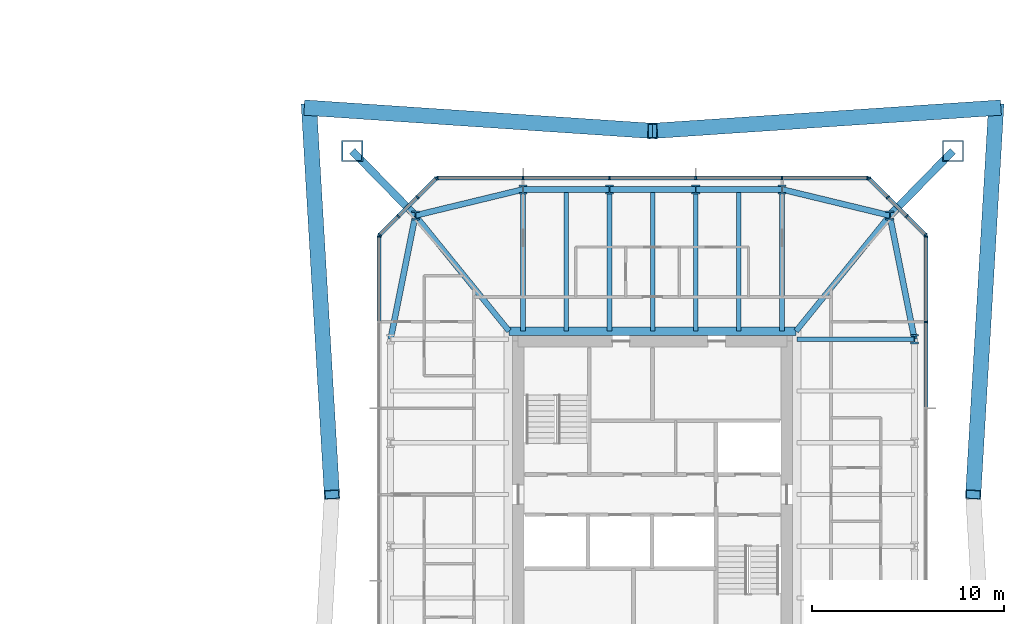
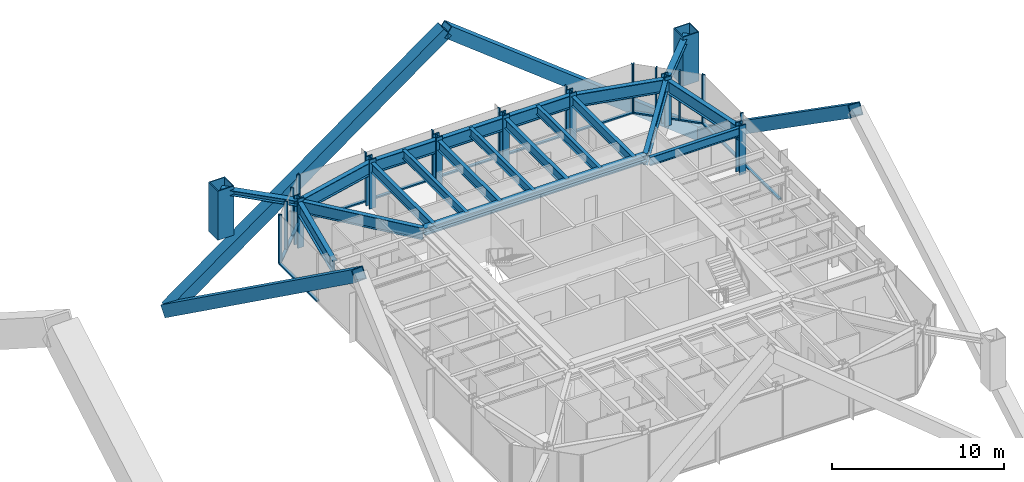
# One storey, part 9 of 21: 46 members, 18 beams, 5 elements without a shape of their own.
"""IFC4 building model written with IfcOpenShell, lengths in metres."""

from ifc_helpers import new_model, si_unit, direction, frame, origin, origin_2d, place, context, subcontext, project, spatial, rectangle, hollow_rectangle, i_section, extrude, material, material_profile, profile_set, type_object, element, aggregate, save


model = new_model("IFC4")

# Units and contexts
model_context = context("Model", 3, precision=1e-05, world=origin(), true_north=direction((0.0, 1.0)))
body_context = subcontext(model_context, "Body", "Model", "MODEL_VIEW")
ifc_project = project(units=[si_unit("LENGTHUNIT", "METRE"), si_unit("AREAUNIT", "SQUARE_METRE"), si_unit("VOLUMEUNIT", "CUBIC_METRE"), si_unit("PLANEANGLEUNIT", "RADIAN"), si_unit("MASSUNIT", "GRAM", prefix="KILO")], contexts=[model_context])

# Site, building, storey
site_placement = place(None, origin())
site = spatial("IfcSite", under=ifc_project, at=site_placement, CompositionType="ELEMENT")
building_placement = place(site_placement, origin())
building = spatial("IfcBuilding", under=site, at=building_placement, Name="Iwan Alto Co-Living Towers", CompositionType="ELEMENT")
storey_placement = place(building_placement, frame((0.0, 0.0, 80.5)))
storey = spatial("IfcBuildingStorey", under=building, at=storey_placement, Name="L21", CompositionType="ELEMENT", Elevation=80.5)

# Curtain wall, members
ifc_material_1 = material(Name="Bronze aluminium unitised frame", Category="aluminium")
curtain_wall_type_1 = type_object("IfcCurtainWallType", Name="CURTAIN WALL CW-C", PredefinedType="NOTDEFINED", material=ifc_material_1)
curtain_wall_1_placement = place(storey_placement, origin())
curtain_wall_1 = element("IfcCurtainWall", 1, at=curtain_wall_1_placement, inside=storey, type_object=curtain_wall_type_1, Name="T2 curtain wall E L21", PredefinedType="NOTDEFINED")
ifc_material_2 = material(Name="Aluminium 6063-T6 bronze anodised", Category="aluminium")
ifc_material_profile_1 = material_profile(ifc_material_2, rectangle(XDim=0.199951171875, YDim=0.080078125, at=origin_2d()), Name="AL 80X200")
ifc_profile_set_1 = profile_set([ifc_material_profile_1], Name="Aluminium 6063-T6 bronze anodised")
member_type_1 = type_object("IfcMemberType", Name="CW-C MULLION 80X200", PredefinedType="MULLION", material=ifc_profile_set_1)
member_1_placement = place(storey_placement, frame((77.25, 9.0, 0.0), z_axis=(0.0, 0.0, 1.0), x_axis=(-1.0, 0.0, 0.0)))
member_1 = element("IfcMember", 2, at=member_1_placement, type_object=member_type_1, Name="CW-C mullion 6", PredefinedType="MULLION", context=body_context, shape_type="SweptSolid", body=[
    extrude(rectangle(XDim=0.199951171875, YDim=0.080078125, at=origin_2d()), origin(), (0.0, 0.0, 1.0), 3.5),
])
member_2_placement = place(storey_placement, frame((77.25, 13.4599609375, 0.0), z_axis=(0.0, 0.0, 1.0), x_axis=(-1.0, 0.0, 0.0)))
member_2 = element("IfcMember", 3, at=member_2_placement, type_object=member_type_1, Name="CW-C mullion 7", PredefinedType="MULLION", context=body_context, shape_type="SweptSolid", body=[
    extrude(rectangle(XDim=0.199951171875, YDim=0.080078125, at=origin_2d()), origin(), (0.0, 0.0, 1.0), 3.5),
])

curtain_wall_2_placement = place(storey_placement, origin())
curtain_wall_2 = element("IfcCurtainWall", 4, at=curtain_wall_2_placement, inside=storey, type_object=curtain_wall_type_1, Name="T2 curtain wall N L21", PredefinedType="NOTDEFINED")
member_3_placement = place(storey_placement, frame((74.2099609375, 16.5, 0.0), z_axis=(0.0, 0.0, 1.0), x_axis=(0.0, -1.0, 0.0)))
member_3 = element("IfcMember", 5, at=member_3_placement, type_object=member_type_1, Name="CW-C mullion 1", PredefinedType="MULLION", context=body_context, shape_type="SweptSolid", body=[
    extrude(rectangle(XDim=0.199951171875, YDim=0.080078125, at=origin_2d()), origin(), (0.0, 0.0, 1.0), 3.5),
])
member_4_placement = place(storey_placement, frame((69.75, 16.5, 0.0), z_axis=(0.0, 0.0, 1.0), x_axis=(0.0, -1.0, 0.0)))
member_4 = element("IfcMember", 6, at=member_4_placement, type_object=member_type_1, Name="CW-C mullion 2", PredefinedType="MULLION", context=body_context, shape_type="SweptSolid", body=[
    extrude(rectangle(XDim=0.199951171875, YDim=0.080078125, at=origin_2d()), origin(), (0.0, 0.0, 1.0), 3.5),
])
member_5_placement = place(storey_placement, frame((65.25, 16.5, 0.0), z_axis=(0.0, 0.0, 1.0), x_axis=(0.0, -1.0, 0.0)))
member_5 = element("IfcMember", 7, at=member_5_placement, type_object=member_type_1, Name="CW-C mullion 3", PredefinedType="MULLION", context=body_context, shape_type="SweptSolid", body=[
    extrude(rectangle(XDim=0.199951171875, YDim=0.080078125, at=origin_2d()), origin(), (0.0, 0.0, 1.0), 3.5),
])
member_6_placement = place(storey_placement, frame((60.75, 16.5, 0.0), z_axis=(0.0, 0.0, 1.0), x_axis=(0.0, -1.0, 0.0)))
member_6 = element("IfcMember", 8, at=member_6_placement, type_object=member_type_1, Name="CW-C mullion 4", PredefinedType="MULLION", context=body_context, shape_type="SweptSolid", body=[
    extrude(rectangle(XDim=0.199951171875, YDim=0.080078125, at=origin_2d()), origin(), (0.0, 0.0, 1.0), 3.5),
])
member_7_placement = place(storey_placement, frame((56.25, 16.5, 0.0), z_axis=(0.0, 0.0, 1.0), x_axis=(0.0, -1.0, 0.0)))
member_7 = element("IfcMember", 9, at=member_7_placement, type_object=member_type_1, Name="CW-C mullion 5", PredefinedType="MULLION", context=body_context, shape_type="SweptSolid", body=[
    extrude(rectangle(XDim=0.199951171875, YDim=0.080078125, at=origin_2d()), origin(), (0.0, 0.0, 1.0), 3.5),
])
member_8_placement = place(storey_placement, frame((51.7900390625, 16.5, 0.0), z_axis=(0.0, 0.0, 1.0), x_axis=(0.0, -1.0, 0.0)))
member_8 = element("IfcMember", 10, at=member_8_placement, type_object=member_type_1, Name="CW-C mullion 6", PredefinedType="MULLION", context=body_context, shape_type="SweptSolid", body=[
    extrude(rectangle(XDim=0.199951171875, YDim=0.080078125, at=origin_2d()), origin(), (0.0, 0.0, 1.0), 3.5),
])

# Curtain wall, member
curtain_wall_3_placement = place(storey_placement, origin())
curtain_wall_3 = element("IfcCurtainWall", 11, at=curtain_wall_3_placement, inside=storey, type_object=curtain_wall_type_1, Name="T2 curtain wall W L21", PredefinedType="NOTDEFINED")
member_9_placement = place(storey_placement, frame((48.75, 13.4599609375, 0.0), z_axis=(0.0, 0.0, 1.0), x_axis=(1.0, 0.0, 0.0)))
member_9 = element("IfcMember", 12, at=member_9_placement, type_object=member_type_1, Name="CW-C mullion 1", PredefinedType="MULLION", context=body_context, shape_type="SweptSolid", body=[
    extrude(rectangle(XDim=0.199951171875, YDim=0.080078125, at=origin_2d()), origin(), (0.0, 0.0, 1.0), 3.5),
])

# Member
ifc_material_3 = material(Name="Aluminium 6063-T6 bronze anodised", Category="aluminium")
ifc_material_profile_2 = material_profile(ifc_material_3, rectangle(XDim=0.199951171875, YDim=0.10009765625, at=origin_2d()), Name="AL 200X100")
ifc_profile_set_2 = profile_set([ifc_material_profile_2], Name="Aluminium 6063-T6 bronze anodised")
member_type_2 = type_object("IfcMemberType", Name="CW-C TRANSOM 200X100", PredefinedType="USERDEFINED", material=ifc_profile_set_2)
member_10_placement = place(storey_placement, frame((77.25, 4.5400390625, 0.050048828125), z_axis=(0.0, 1.0, 0.0), x_axis=(-1.0, 0.0, 0.0)))
member_10 = element("IfcMember", 13, at=member_10_placement, type_object=member_type_2, Name="CW-C transom 5.1", ObjectType="TRANSOM", PredefinedType="USERDEFINED", context=body_context, shape_type="SweptSolid", body=[
    extrude(rectangle(XDim=0.199951171875, YDim=0.10009765625, at=origin_2d()), origin(), (0.0, 0.0, 1.0), 4.419921875),
])

member_11_placement = place(storey_placement, frame((77.25, 9.0400390625, 0.050048828125), z_axis=(0.0, 1.0, 0.0), x_axis=(-1.0, 0.0, 0.0)))
member_11 = element("IfcMember", 14, at=member_11_placement, type_object=member_type_2, Name="CW-C transom 6.1", ObjectType="TRANSOM", PredefinedType="USERDEFINED", context=body_context, shape_type="SweptSolid", body=[
    extrude(rectangle(XDim=0.199951171875, YDim=0.10009765625, at=origin_2d()), origin(), (0.0, 0.0, 1.0), 4.3798828125),
])

aggregate(curtain_wall_1, [member_1, member_2, member_10, member_11])

member_12_placement = place(storey_placement, frame((74.169921875, 16.5, 0.050048828125), z_axis=(-1.0, 0.0, 0.0), x_axis=(0.0, -1.0, 0.0)))
member_12 = element("IfcMember", 15, at=member_12_placement, type_object=member_type_2, Name="CW-C transom 1.1", ObjectType="TRANSOM", PredefinedType="USERDEFINED", context=body_context, shape_type="SweptSolid", body=[
    extrude(rectangle(XDim=0.199951171875, YDim=0.10009765625, at=origin_2d()), origin(), (0.0, 0.0, 1.0), 4.3798828125),
])

member_13_placement = place(storey_placement, frame((69.7099609375, 16.5, 0.050048828125), z_axis=(-1.0, 0.0, 0.0), x_axis=(0.0, -1.0, 0.0)))
member_13 = element("IfcMember", 16, at=member_13_placement, type_object=member_type_2, Name="CW-C transom 2.1", ObjectType="TRANSOM", PredefinedType="USERDEFINED", context=body_context, shape_type="SweptSolid", body=[
    extrude(rectangle(XDim=0.199951171875, YDim=0.10009765625, at=origin_2d()), origin(), (0.0, 0.0, 1.0), 4.419921875),
])

member_14_placement = place(storey_placement, frame((65.2099609375, 16.5, 0.050048828125), z_axis=(-1.0, 0.0, 0.0), x_axis=(0.0, -1.0, 0.0)))
member_14 = element("IfcMember", 17, at=member_14_placement, type_object=member_type_2, Name="CW-C transom 3.1", ObjectType="TRANSOM", PredefinedType="USERDEFINED", context=body_context, shape_type="SweptSolid", body=[
    extrude(rectangle(XDim=0.199951171875, YDim=0.10009765625, at=origin_2d()), origin(), (0.0, 0.0, 1.0), 4.419921875),
])

member_15_placement = place(storey_placement, frame((60.7099609375, 16.5, 0.050048828125), z_axis=(-1.0, 0.0, 0.0), x_axis=(0.0, -1.0, 0.0)))
member_15 = element("IfcMember", 18, at=member_15_placement, type_object=member_type_2, Name="CW-C transom 4.1", ObjectType="TRANSOM", PredefinedType="USERDEFINED", context=body_context, shape_type="SweptSolid", body=[
    extrude(rectangle(XDim=0.199951171875, YDim=0.10009765625, at=origin_2d()), origin(), (0.0, 0.0, 1.0), 4.419921875),
])

member_16_placement = place(storey_placement, frame((56.2099609375, 16.5, 0.050048828125), z_axis=(-1.0, 0.0, 0.0), x_axis=(0.0, -1.0, 0.0)))
member_16 = element("IfcMember", 19, at=member_16_placement, type_object=member_type_2, Name="CW-C transom 5.1", ObjectType="TRANSOM", PredefinedType="USERDEFINED", context=body_context, shape_type="SweptSolid", body=[
    extrude(rectangle(XDim=0.199951171875, YDim=0.10009765625, at=origin_2d()), origin(), (0.0, 0.0, 1.0), 4.3798828125),
])

aggregate(curtain_wall_2, [member_3, member_4, member_5, member_6, member_7, member_8, member_12, member_13, member_14, member_15, member_16])

member_17_placement = place(storey_placement, frame((48.75, 13.419921875, 0.050048828125), z_axis=(0.0, -1.0, 0.0), x_axis=(1.0, 0.0, 0.0)))
member_17 = element("IfcMember", 20, at=member_17_placement, type_object=member_type_2, Name="CW-C transom 1.1", ObjectType="TRANSOM", PredefinedType="USERDEFINED", context=body_context, shape_type="SweptSolid", body=[
    extrude(rectangle(XDim=0.199951171875, YDim=0.10009765625, at=origin_2d()), origin(), (0.0, 0.0, 1.0), 4.3798828125),
])

aggregate(curtain_wall_3, [member_9, member_17])

# Curtain wall, members
ifc_material_4 = material(Name="Bronze aluminium unitised frame", Category="aluminium")
curtain_wall_type_2 = type_object("IfcCurtainWallType", Name="CURTAIN WALL CW-D", PredefinedType="NOTDEFINED", material=ifc_material_4)
curtain_wall_4_placement = place(storey_placement, origin())
curtain_wall_4 = element("IfcCurtainWall", 21, at=curtain_wall_4_placement, inside=storey, type_object=curtain_wall_type_2, Name="T2 chamfer curtain wall NE L21", PredefinedType="NOTDEFINED")
ifc_material_5 = material(Name="Aluminium 6063-T6 bronze anodised", Category="aluminium")
ifc_material_profile_3 = material_profile(ifc_material_5, rectangle(XDim=0.199951171875, YDim=0.080078125, at=origin_2d()), Name="AL 80X200")
ifc_profile_set_3 = profile_set([ifc_material_profile_3], Name="Aluminium 6063-T6 bronze anodised")
member_type_3 = type_object("IfcMemberType", Name="CW-D MULLION 80X200", PredefinedType="MULLION", material=ifc_profile_set_3)
member_18_placement = place(storey_placement, frame((77.2216796875, 13.5283203125, 0.0), z_axis=(0.0, 0.0, 1.0), x_axis=(-0.707106781187, -0.707106781187, 0.0)))
member_18 = element("IfcMember", 22, at=member_18_placement, type_object=member_type_3, Name="CW-D mullion 1", PredefinedType="MULLION", context=body_context, shape_type="SweptSolid", body=[
    extrude(rectangle(XDim=0.199951171875, YDim=0.080078125, at=origin_2d()), origin(), (0.0, 0.0, 1.0), 3.5),
])
member_19_placement = place(storey_placement, frame((76.25, 14.5, 0.0), z_axis=(0.0, 0.0, 1.0), x_axis=(-0.707106781187, -0.707106781187, 0.0)))
member_19 = element("IfcMember", 23, at=member_19_placement, type_object=member_type_3, Name="CW-D mullion 2", PredefinedType="MULLION", context=body_context, shape_type="SweptSolid", body=[
    extrude(rectangle(XDim=0.199951171875, YDim=0.080078125, at=origin_2d()), origin(), (0.0, 0.0, 1.0), 3.5),
])
member_20_placement = place(storey_placement, frame((75.25, 15.5, 0.0), z_axis=(0.0, 0.0, 1.0), x_axis=(-0.707106781187, -0.707106781187, 0.0)))
member_20 = element("IfcMember", 24, at=member_20_placement, type_object=member_type_3, Name="CW-D mullion 3", PredefinedType="MULLION", context=body_context, shape_type="SweptSolid", body=[
    extrude(rectangle(XDim=0.199951171875, YDim=0.080078125, at=origin_2d()), origin(), (0.0, 0.0, 1.0), 3.5),
])
member_21_placement = place(storey_placement, frame((74.2783203125, 16.4716796875, 0.0), z_axis=(0.0, 0.0, 1.0), x_axis=(-0.707106781187, -0.707106781187, 0.0)))
member_21 = element("IfcMember", 25, at=member_21_placement, type_object=member_type_3, Name="CW-D mullion 4", PredefinedType="MULLION", context=body_context, shape_type="SweptSolid", body=[
    extrude(rectangle(XDim=0.199951171875, YDim=0.080078125, at=origin_2d()), origin(), (0.0, 0.0, 1.0), 3.5),
])

curtain_wall_5_placement = place(storey_placement, origin())
curtain_wall_5 = element("IfcCurtainWall", 26, at=curtain_wall_5_placement, inside=storey, type_object=curtain_wall_type_2, Name="T2 chamfer curtain wall NW L21", PredefinedType="NOTDEFINED")
member_22_placement = place(storey_placement, frame((51.7216796875, 16.4716796875, 0.0), z_axis=(0.0, 0.0, 1.0), x_axis=(0.707106781187, -0.707106781187, 0.0)))
member_22 = element("IfcMember", 27, at=member_22_placement, type_object=member_type_3, Name="CW-D mullion 1", PredefinedType="MULLION", context=body_context, shape_type="SweptSolid", body=[
    extrude(rectangle(XDim=0.199951171875, YDim=0.080078125, at=origin_2d()), origin(), (0.0, 0.0, 1.0), 3.5),
])
member_23_placement = place(storey_placement, frame((50.75, 15.5, 0.0), z_axis=(0.0, 0.0, 1.0), x_axis=(0.707106781187, -0.707106781187, 0.0)))
member_23 = element("IfcMember", 28, at=member_23_placement, type_object=member_type_3, Name="CW-D mullion 2", PredefinedType="MULLION", context=body_context, shape_type="SweptSolid", body=[
    extrude(rectangle(XDim=0.199951171875, YDim=0.080078125, at=origin_2d()), origin(), (0.0, 0.0, 1.0), 3.5),
])
member_24_placement = place(storey_placement, frame((49.75, 14.5, 0.0), z_axis=(0.0, 0.0, 1.0), x_axis=(0.707106781187, -0.707106781187, 0.0)))
member_24 = element("IfcMember", 29, at=member_24_placement, type_object=member_type_3, Name="CW-D mullion 3", PredefinedType="MULLION", context=body_context, shape_type="SweptSolid", body=[
    extrude(rectangle(XDim=0.199951171875, YDim=0.080078125, at=origin_2d()), origin(), (0.0, 0.0, 1.0), 3.5),
])
member_25_placement = place(storey_placement, frame((48.7783203125, 13.5283203125, 0.0), z_axis=(0.0, 0.0, 1.0), x_axis=(0.707106781187, -0.707106781187, 0.0)))
member_25 = element("IfcMember", 30, at=member_25_placement, type_object=member_type_3, Name="CW-D mullion 4", PredefinedType="MULLION", context=body_context, shape_type="SweptSolid", body=[
    extrude(rectangle(XDim=0.199951171875, YDim=0.080078125, at=origin_2d()), origin(), (0.0, 0.0, 1.0), 3.5),
])

# Member
ifc_material_6 = material(Name="Aluminium 6063-T6 bronze anodised", Category="aluminium")
ifc_material_profile_4 = material_profile(ifc_material_6, rectangle(XDim=0.199951171875, YDim=0.10009765625, at=origin_2d()), Name="AL 200X100")
ifc_profile_set_4 = profile_set([ifc_material_profile_4], Name="Aluminium 6063-T6 bronze anodised")
member_type_4 = type_object("IfcMemberType", Name="CW-D TRANSOM 200X100", PredefinedType="USERDEFINED", material=ifc_profile_set_4)
member_26_placement = place(storey_placement, frame((77.193359375, 13.556640625, 0.050048828125), z_axis=(-0.707106781187, 0.707106781187, 0.0), x_axis=(-0.707106781187, -0.707106781187, 0.0)))
member_26 = element("IfcMember", 31, at=member_26_placement, type_object=member_type_4, Name="CW-D transom 1.1", ObjectType="TRANSOM", PredefinedType="USERDEFINED", context=body_context, shape_type="SweptSolid", body=[
    extrude(rectangle(XDim=0.199951171875, YDim=0.10009765625, at=origin_2d()), origin(), (0.0, 0.0, 1.0), 1.2939453125),
])

member_27_placement = place(storey_placement, frame((76.2216796875, 14.5283203125, 0.050048828125), z_axis=(-0.707106781187, 0.707106781187, 0.0), x_axis=(-0.707106781187, -0.707106781187, 0.0)))
member_27 = element("IfcMember", 32, at=member_27_placement, type_object=member_type_4, Name="CW-D transom 2.1", ObjectType="TRANSOM", PredefinedType="USERDEFINED", context=body_context, shape_type="SweptSolid", body=[
    extrude(rectangle(XDim=0.199951171875, YDim=0.10009765625, at=origin_2d()), origin(), (0.0, 0.0, 1.0), 1.334228515625),
])

member_28_placement = place(storey_placement, frame((75.2216796875, 15.5283203125, 0.050048828125), z_axis=(-0.707106781187, 0.707106781187, 0.0), x_axis=(-0.707106781187, -0.707106781187, 0.0)))
member_28 = element("IfcMember", 33, at=member_28_placement, type_object=member_type_4, Name="CW-D transom 3.1", ObjectType="TRANSOM", PredefinedType="USERDEFINED", context=body_context, shape_type="SweptSolid", body=[
    extrude(rectangle(XDim=0.199951171875, YDim=0.10009765625, at=origin_2d()), origin(), (0.0, 0.0, 1.0), 1.2939453125),
])

aggregate(curtain_wall_4, [member_18, member_19, member_20, member_21, member_26, member_27, member_28])

member_29_placement = place(storey_placement, frame((51.693359375, 16.443359375, 0.050048828125), z_axis=(-0.707106781187, -0.707106781187, 0.0), x_axis=(0.707106781187, -0.707106781187, 0.0)))
member_29 = element("IfcMember", 34, at=member_29_placement, type_object=member_type_4, Name="CW-D transom 1.1", ObjectType="TRANSOM", PredefinedType="USERDEFINED", context=body_context, shape_type="SweptSolid", body=[
    extrude(rectangle(XDim=0.199951171875, YDim=0.10009765625, at=origin_2d()), origin(), (0.0, 0.0, 1.0), 1.2939453125),
])

member_30_placement = place(storey_placement, frame((50.7216796875, 15.4716796875, 0.050048828125), z_axis=(-0.707106781187, -0.707106781187, 0.0), x_axis=(0.707106781187, -0.707106781187, 0.0)))
member_30 = element("IfcMember", 35, at=member_30_placement, type_object=member_type_4, Name="CW-D transom 2.1", ObjectType="TRANSOM", PredefinedType="USERDEFINED", context=body_context, shape_type="SweptSolid", body=[
    extrude(rectangle(XDim=0.199951171875, YDim=0.10009765625, at=origin_2d()), origin(), (0.0, 0.0, 1.0), 1.334228515625),
])

member_31_placement = place(storey_placement, frame((49.7216796875, 14.4716796875, 0.050048828125), z_axis=(-0.707106781187, -0.707106781187, 0.0), x_axis=(0.707106781187, -0.707106781187, 0.0)))
member_31 = element("IfcMember", 36, at=member_31_placement, type_object=member_type_4, Name="CW-D transom 3.1", ObjectType="TRANSOM", PredefinedType="USERDEFINED", context=body_context, shape_type="SweptSolid", body=[
    extrude(rectangle(XDim=0.199951171875, YDim=0.10009765625, at=origin_2d()), origin(), (0.0, 0.0, 1.0), 1.2939453125),
])

aggregate(curtain_wall_5, [member_22, member_23, member_24, member_25, member_29, member_30, member_31])

# Beams
ifc_material_7 = material(Name="Steel ASTM A992 Gr 50", Category="steel")
ifc_material_profile_5 = material_profile(ifc_material_7, i_section(OverallWidth=0.436767578125, OverallDepth=0.51318359375, WebThickness=0.060546875, FlangeThickness=0.096923828125, at=origin_2d()), Name="W14X550")
ifc_profile_set_5 = profile_set([ifc_material_profile_5], Name="Steel ASTM A992 Gr 50")
beam_type_1 = type_object("IfcBeamType", Name="T2 CORE LEDGER BEAM W14X550", PredefinedType="BEAM", material=ifc_profile_set_5)
beam_1_placement = place(storey_placement, frame((70.47705078125, 8.5185546875, 3.013427734375), z_axis=(-1.0, 0.0, 0.0), x_axis=(0.0, -1.0, 0.0)))
element("IfcBeam", 37, at=beam_1_placement, inside=storey, type_object=beam_type_1, Name="T2 core ledger beam N L22", PredefinedType="BEAM", context=body_context, shape_type="SweptSolid", body=[
    extrude(i_section(OverallWidth=0.436767578125, OverallDepth=0.51318359375, WebThickness=0.060546875, FlangeThickness=0.096923828125, at=origin_2d()), origin(), (0.0, 0.0, 1.0), 14.9541015625),
])
ifc_material_8 = material(Name="Steel ASTM A992 Gr 50", Category="steel")
ifc_material_profile_6 = material_profile(ifc_material_8, i_section(OverallWidth=0.2919921875, OverallDepth=0.8408203125, WebThickness=0.0146484375, FlangeThickness=0.021728515625, at=origin_2d()), Name="W33X130")
ifc_profile_set_6 = profile_set([ifc_material_profile_6], Name="Steel ASTM A992 Gr 50")
beam_type_2 = type_object("IfcBeamType", Name="T2 CORNER GIRDER W33X130", PredefinedType="BEAM", material=ifc_profile_set_6)
for number, where, z_axis, x_axis, name in (
    (38, (75.361328125, 14.542724609375, 2.849609375), (-0.629787584927, -0.776767402683, 0.0), (0.776767402683, -0.629787584927, 0.0), "T2 corner girder CNE L22"),
    (39, (50.638671875, 14.542724609375, 2.849609375), (0.629787584927, -0.776767402683, 0.0), (0.776767402683, 0.629787584927, 0.0), "T2 corner girder CNW L22"),
):
    element("IfcBeam", number, at=place(storey_placement, frame(where, z_axis=z_axis, x_axis=x_axis)), inside=storey, type_object=beam_type_2, Name=name, PredefinedType="BEAM", context=body_context, shape_type="SweptSolid", body=[
        extrude(i_section(OverallWidth=0.2919921875, OverallDepth=0.8408203125, WebThickness=0.0146484375, FlangeThickness=0.021728515625, at=origin_2d()), origin(), (0.0, 0.0, 1.0), 7.75537109375),
    ])
ifc_material_9 = material(Name="Steel ASTM A992 Gr 50", Category="steel")
ifc_material_profile_7 = material_profile(ifc_material_9, i_section(OverallWidth=0.307373046875, OverallDepth=0.927001953125, WebThickness=0.01953125, FlangeThickness=0.031982421875, at=origin_2d()), Name="W36X194")
ifc_profile_set_7 = profile_set([ifc_material_profile_7], Name="Steel ASTM A992 Gr 50")
beam_type_3 = type_object("IfcBeamType", Name="T2 EDGE BEAM W36X194", PredefinedType="BEAM", material=ifc_profile_set_7)
beam_2_placement = place(storey_placement, frame((76.64990234375, 8.10009765625, 2.806396484375), z_axis=(-0.196123281025, 0.980579246487, 0.0), x_axis=(-0.980579246487, -0.196123281025, 0.0)))
element("IfcBeam", 40, at=beam_2_placement, inside=storey, type_object=beam_type_3, Name="T2 edge beam E4 L22", PredefinedType="BEAM", context=body_context, shape_type="SweptSolid", body=[
    extrude(i_section(OverallWidth=0.307373046875, OverallDepth=0.927001953125, WebThickness=0.01953125, FlangeThickness=0.031982421875, at=origin_2d()), origin(), (0.0, 0.0, 1.0), 6.5703125),
])
beam_3_placement = place(storey_placement, frame((75.361328125, 14.542724609375, 2.806396484375), z_axis=(-0.971974673138, 0.235085590323, 0.0), x_axis=(-0.235085590323, -0.971974673138, 0.0)))
element("IfcBeam", 41, at=beam_3_placement, inside=storey, type_object=beam_type_3, Name="T2 edge beam CNE L22", PredefinedType="BEAM", context=body_context, shape_type="SweptSolid", body=[
    extrude(i_section(OverallWidth=0.307373046875, OverallDepth=0.927001953125, WebThickness=0.01953125, FlangeThickness=0.031982421875, at=origin_2d()), origin(), (0.0, 0.0, 1.0), 5.773193359375),
])
for number, where, z_axis, x_axis, name in (
    (42, (69.75, 15.89990234375, 2.806396484375), (-1.0, 0.0, 0.0), (0.0, -1.0, 0.0), "T2 edge beam N1 L22"),
    (43, (65.25, 15.89990234375, 2.806396484375), (-1.0, 0.0, 0.0), (0.0, -1.0, 0.0), "T2 edge beam N2 L22"),
    (44, (60.75, 15.89990234375, 2.806396484375), (-1.0, 0.0, 0.0), (0.0, -1.0, 0.0), "T2 edge beam N3 L22"),
):
    element("IfcBeam", number, at=place(storey_placement, frame(where, z_axis=z_axis, x_axis=x_axis)), inside=storey, type_object=beam_type_3, Name=name, PredefinedType="BEAM", context=body_context, shape_type="SweptSolid", body=[
        extrude(i_section(OverallWidth=0.307373046875, OverallDepth=0.927001953125, WebThickness=0.01953125, FlangeThickness=0.031982421875, at=origin_2d()), origin(), (0.0, 0.0, 1.0), 4.5),
    ])
beam_4_placement = place(storey_placement, frame((56.25, 15.89990234375, 2.806396484375), z_axis=(-0.971974673138, -0.235085590323, 0.0), x_axis=(0.235085590323, -0.971974673138, 0.0)))
element("IfcBeam", 45, at=beam_4_placement, inside=storey, type_object=beam_type_3, Name="T2 edge beam N4 L22", PredefinedType="BEAM", context=body_context, shape_type="SweptSolid", body=[
    extrude(i_section(OverallWidth=0.307373046875, OverallDepth=0.927001953125, WebThickness=0.01953125, FlangeThickness=0.031982421875, at=origin_2d()), origin(), (0.0, 0.0, 1.0), 5.773193359375),
])
beam_5_placement = place(storey_placement, frame((50.638671875, 14.542724609375, 2.806396484375), z_axis=(-0.196123281025, -0.980579246487, 0.0), x_axis=(0.980579246487, -0.196123281025, 0.0)))
element("IfcBeam", 46, at=beam_5_placement, inside=storey, type_object=beam_type_3, Name="T2 edge beam CNW L22", PredefinedType="BEAM", context=body_context, shape_type="SweptSolid", body=[
    extrude(i_section(OverallWidth=0.307373046875, OverallDepth=0.927001953125, WebThickness=0.01953125, FlangeThickness=0.031982421875, at=origin_2d()), origin(), (0.0, 0.0, 1.0), 6.5703125),
])

# Members
ifc_material_10 = material(Name="Steel ASTM A572 Gr 50", Category="steel")
ifc_material_profile_8 = material_profile(ifc_material_10, hollow_rectangle(XDim=0.800048828125, YDim=0.800048828125, WallThickness=0.050048828125, at=origin_2d()), Name="BOX 800X800X50")
ifc_profile_set_8 = profile_set([ifc_material_profile_8], Name="Steel ASTM A572 Gr 50")
member_type_5 = type_object("IfcMemberType", Name="T2 MEGA BRACE BOX 800X800X50", PredefinedType="BRACE", material=ifc_profile_set_8)
member_32_placement = place(storey_placement, frame((80.89990234375, 20.14990234375, -6.0), z_axis=(-0.04816444441, -0.814591035855, 0.578032551505), x_axis=(0.998256560204, -0.059024062978, 0.0)))
element("IfcMember", 47, at=member_32_placement, inside=storey, type_object=member_type_5, Name="T2 mega brace Z2A E 2 lower", PredefinedType="BRACE", context=body_context, shape_type="SweptSolid", body=[
    extrude(hollow_rectangle(XDim=0.800048828125, YDim=0.800048828125, WallThickness=0.050048828125, at=origin_2d()), origin(), (0.0, 0.0, 1.0), 24.736328125),
])
for number, where, z_axis, x_axis, name in (
    (48, (80.89990234375, 20.14990234375, -6.0), (-0.777992341142, -0.052175295854, 0.626103550243), (0.066913716291, -0.99775876572, 0.0), "T2 mega brace Z2A N 1 lower"),
    (49, (45.10009765625, 20.14990234375, -6.0), (0.777992341142, -0.052175295854, 0.626103550243), (0.066913716291, 0.99775876572, 0.0), "T2 mega brace Z2A N 2 lower"),
):
    element("IfcMember", number, at=place(storey_placement, frame(where, z_axis=z_axis, x_axis=x_axis)), inside=storey, type_object=member_type_5, Name=name, PredefinedType="BRACE", context=body_context, shape_type="SweptSolid", body=[
        extrude(hollow_rectangle(XDim=0.800048828125, YDim=0.800048828125, WallThickness=0.050048828125, at=origin_2d()), origin(), (0.0, 0.0, 1.0), 23.0078125),
    ])
member_33_placement = place(storey_placement, frame((45.10009765625, 20.14990234375, -6.0), z_axis=(0.04816444441, -0.814591035855, 0.578032551505), x_axis=(0.998256560204, 0.059024062978, 0.0)))
element("IfcMember", 50, at=member_33_placement, inside=storey, type_object=member_type_5, Name="T2 mega brace Z2A W 1 lower", PredefinedType="BRACE", context=body_context, shape_type="SweptSolid", body=[
    extrude(hollow_rectangle(XDim=0.800048828125, YDim=0.800048828125, WallThickness=0.050048828125, at=origin_2d()), origin(), (0.0, 0.0, 1.0), 24.736328125),
])
ifc_material_11 = material(Name="Steel ASTM A992 Gr 50", Category="steel")
ifc_material_profile_9 = material_profile(ifc_material_11, i_section(OverallWidth=0.393798828125, OverallDepth=0.3759765625, WebThickness=0.017333984375, FlangeThickness=0.027587890625, at=origin_2d()), Name="W14X145")
ifc_profile_set_9 = profile_set([ifc_material_profile_9], Name="Steel ASTM A992 Gr 50")
member_type_6 = type_object("IfcMemberType", Name="T2 MEGA COLUMN FLOOR TIE W14X145", PredefinedType="STRUT", material=ifc_profile_set_9)
for number, where, z_axis, x_axis, name in (
    (51, (78.64990234375, 17.89990234375, 3.08203125), (-0.699770096147, -0.714368121166, 0.0), (0.714368121166, -0.699770096147, 0.0), "T2 mega column floor tie NE L22"),
    (52, (47.35009765625, 17.89990234375, 3.08203125), (0.699770096147, -0.714368121166, 0.0), (0.714368121166, 0.699770096147, 0.0), "T2 mega column floor tie NW L22"),
):
    element("IfcMember", number, at=place(storey_placement, frame(where, z_axis=z_axis, x_axis=x_axis)), inside=storey, type_object=member_type_6, Name=name, PredefinedType="STRUT", context=body_context, shape_type="SweptSolid", body=[
        extrude(i_section(OverallWidth=0.393798828125, OverallDepth=0.3759765625, WebThickness=0.017333984375, FlangeThickness=0.027587890625, at=origin_2d()), origin(), (0.0, 0.0, 1.0), 4.699462890625),
    ])
ifc_material_12 = material(Name="Steel ASTM A572 Gr 50", Category="steel")
ifc_material_profile_10 = material_profile(ifc_material_12, hollow_rectangle(XDim=1.10009765625, YDim=1.10009765625, WallThickness=0.06005859375, at=origin_2d()), Name="BOX 1100X1100X60")
ifc_profile_set_10 = profile_set([ifc_material_profile_10], Name="Steel ASTM A572 Gr 50")
member_type_7 = type_object("IfcMemberType", Name="T2 MEGA POST AT STEP BOX 1100X1100X60", PredefinedType="MEMBER", material=ifc_profile_set_10)
for number, where, z_axis, x_axis, name in (
    (53, (78.64990234375, 17.89990234375, 0.0), (0.0, 0.0, 1.0), (1.0, 0.0, 0.0), "T2 mega post at step NE L21"),
    (54, (47.35009765625, 17.89990234375, 0.0), (0.0, 0.0, 1.0), (1.0, 0.0, 0.0), "T2 mega post at step NW L21"),
):
    element("IfcMember", number, at=place(storey_placement, frame(where, z_axis=z_axis, x_axis=x_axis)), inside=storey, type_object=member_type_7, Name=name, PredefinedType="MEMBER", context=body_context, shape_type="SweptSolid", body=[
        extrude(hollow_rectangle(XDim=1.10009765625, YDim=1.10009765625, WallThickness=0.06005859375, at=origin_2d()), origin(), (0.0, 0.0, 1.0), 3.5),
    ])

# Beams
ifc_material_13 = material(Name="Steel ASTM A992 Gr 50", Category="steel")
ifc_material_profile_11 = material_profile(ifc_material_13, i_section(OverallWidth=0.228271484375, OverallDepth=0.607177734375, WebThickness=0.01123046875, FlangeThickness=0.017333984375, at=origin_2d()), Name="W24X76")
ifc_profile_set_11 = profile_set([ifc_material_profile_11], Name="Steel ASTM A992 Gr 50")
beam_type_4 = type_object("IfcBeamType", Name="T2 RADIAL BEAM W24X76", PredefinedType="BEAM", material=ifc_profile_set_11)
beam_6_placement = place(storey_placement, frame((76.64990234375, 8.10009765625, 2.966552734375), z_axis=(-1.0, 0.0, 0.0), x_axis=(0.0, -1.0, 0.0)))
element("IfcBeam", 55, at=beam_6_placement, inside=storey, type_object=beam_type_4, Name="T2 radial beam E4 L22", PredefinedType="BEAM", context=body_context, shape_type="SweptSolid", body=[
    extrude(i_section(OverallWidth=0.228271484375, OverallDepth=0.607177734375, WebThickness=0.01123046875, FlangeThickness=0.017333984375, at=origin_2d()), origin(), (0.0, 0.0, 1.0), 6.13134765625),
])
ifc_material_14 = material(Name="Steel ASTM A992 Gr 50", Category="steel")
ifc_material_profile_12 = material_profile(ifc_material_14, i_section(OverallWidth=0.25390625, OverallDepth=0.683349609375, WebThickness=0.012451171875, FlangeThickness=0.018798828125, at=origin_2d()), Name="W27X94")
ifc_profile_set_12 = profile_set([ifc_material_profile_12], Name="Steel ASTM A992 Gr 50")
beam_type_5 = type_object("IfcBeamType", Name="T2 RADIAL BEAM W27X94", PredefinedType="BEAM", material=ifc_profile_set_12)
for number, where, z_axis, x_axis, name in (
    (56, (69.75, 15.89990234375, 2.928466796875), (0.0, -1.0, 0.0), (1.0, 0.0, 0.0), "T2 radial beam N1 L22"),
    (57, (65.25, 15.89990234375, 2.928466796875), (0.0, -1.0, 0.0), (1.0, 0.0, 0.0), "T2 radial beam N2 L22"),
    (58, (60.75, 15.89990234375, 2.928466796875), (0.0, -1.0, 0.0), (1.0, 0.0, 0.0), "T2 radial beam N3 L22"),
    (59, (56.25, 15.89990234375, 2.928466796875), (0.0, -1.0, 0.0), (1.0, 0.0, 0.0), "T2 radial beam N4 L22"),
):
    element("IfcBeam", number, at=place(storey_placement, frame(where, z_axis=z_axis, x_axis=x_axis)), inside=storey, type_object=beam_type_5, Name=name, PredefinedType="BEAM", context=body_context, shape_type="SweptSolid", body=[
        extrude(i_section(OverallWidth=0.25390625, OverallDepth=0.683349609375, WebThickness=0.012451171875, FlangeThickness=0.018798828125, at=origin_2d()), origin(), (0.0, 0.0, 1.0), 7.38134765625),
    ])

# Members
ifc_material_15 = material(Name="Steel ASTM A992 Gr 50", Category="steel")
ifc_material_profile_13 = material_profile(ifc_material_15, i_section(OverallWidth=0.4267578125, OverallDepth=0.482666015625, WebThickness=0.05126953125, FlangeThickness=0.08154296875, at=origin_2d()), Name="W14X455")
ifc_profile_set_13 = profile_set([ifc_material_profile_13], Name="Steel ASTM A992 Gr 50")
member_type_8 = type_object("IfcMemberType", Name="T2 RING POST AT STEP W14X455", PredefinedType="MEMBER", material=ifc_profile_set_13)
for number, where, z_axis, x_axis, name in (
    (60, (76.64990234375, 8.10009765625, 0.0), (0.0, 0.0, 1.0), (1.0, 0.0, 0.0), "T2 ring post at step E4 L21"),
    (61, (75.361328125, 14.542724609375, 0.0), (0.0, 0.0, 1.0), (1.0, 0.0, 0.0), "T2 ring post at step CNE L21"),
    (62, (69.75, 15.89990234375, 0.0), (0.0, 0.0, 1.0), (1.0, 0.0, 0.0), "T2 ring post at step N1 L21"),
    (63, (65.25, 15.89990234375, 0.0), (0.0, 0.0, 1.0), (1.0, 0.0, 0.0), "T2 ring post at step N2 L21"),
    (64, (60.75, 15.89990234375, 0.0), (0.0, 0.0, 1.0), (1.0, 0.0, 0.0), "T2 ring post at step N3 L21"),
    (65, (56.25, 15.89990234375, 0.0), (0.0, 0.0, 1.0), (1.0, 0.0, 0.0), "T2 ring post at step N4 L21"),
    (66, (50.638671875, 14.542724609375, 0.0), (0.0, 0.0, 1.0), (1.0, 0.0, 0.0), "T2 ring post at step CNW L21"),
):
    element("IfcMember", number, at=place(storey_placement, frame(where, z_axis=z_axis, x_axis=x_axis)), inside=storey, type_object=member_type_8, Name=name, PredefinedType="MEMBER", context=body_context, shape_type="SweptSolid", body=[
        extrude(i_section(OverallWidth=0.4267578125, OverallDepth=0.482666015625, WebThickness=0.05126953125, FlangeThickness=0.08154296875, at=origin_2d()), origin(), (0.0, 0.0, 1.0), 3.5),
    ])

# Beams
ifc_material_16 = material(Name="Steel ASTM A992 Gr 50", Category="steel")
ifc_material_profile_14 = material_profile(ifc_material_16, i_section(OverallWidth=0.228271484375, OverallDepth=0.607177734375, WebThickness=0.01123046875, FlangeThickness=0.017333984375, at=origin_2d()), Name="W24X76")
ifc_profile_set_14 = profile_set([ifc_material_profile_14], Name="Steel ASTM A992 Gr 50")
beam_type_6 = type_object("IfcBeamType", Name="T2 SECONDARY BEAM W24X76", PredefinedType="JOIST", material=ifc_profile_set_14)
for number, where, z_axis, x_axis, name in (
    (67, (67.5, 15.89990234375, 2.966552734375), (0.0, -1.0, 0.0), (1.0, 0.0, 0.0), "T2 secondary beam N1 L22"),
    (68, (63.0, 15.89990234375, 2.966552734375), (0.0, -1.0, 0.0), (1.0, 0.0, 0.0), "T2 secondary beam N2 L22"),
    (69, (58.5, 15.89990234375, 2.966552734375), (0.0, -1.0, 0.0), (1.0, 0.0, 0.0), "T2 secondary beam N3 L22"),
):
    element("IfcBeam", number, at=place(storey_placement, frame(where, z_axis=z_axis, x_axis=x_axis)), inside=storey, type_object=beam_type_6, Name=name, PredefinedType="JOIST", context=body_context, shape_type="SweptSolid", body=[
        extrude(i_section(OverallWidth=0.228271484375, OverallDepth=0.607177734375, WebThickness=0.01123046875, FlangeThickness=0.017333984375, at=origin_2d()), origin(), (0.0, 0.0, 1.0), 7.38134765625),
    ])

save(model, "model.ifc")
